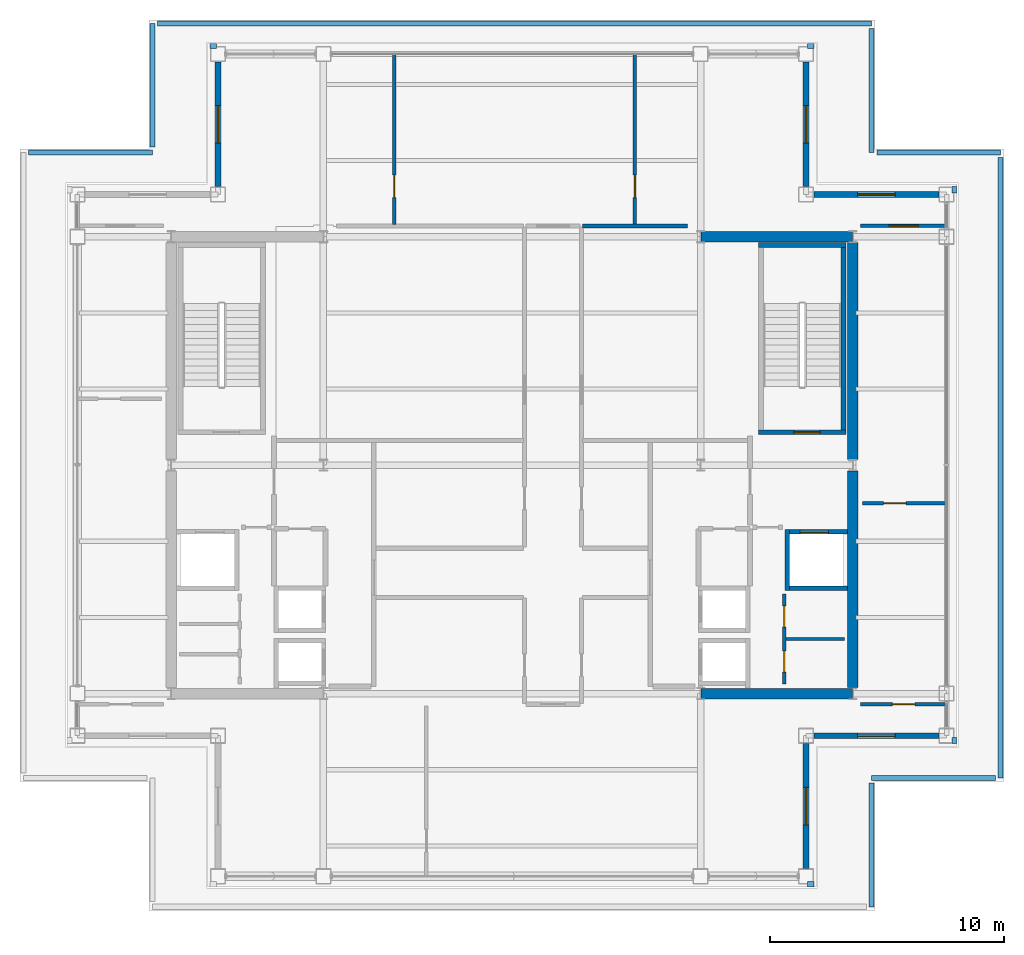
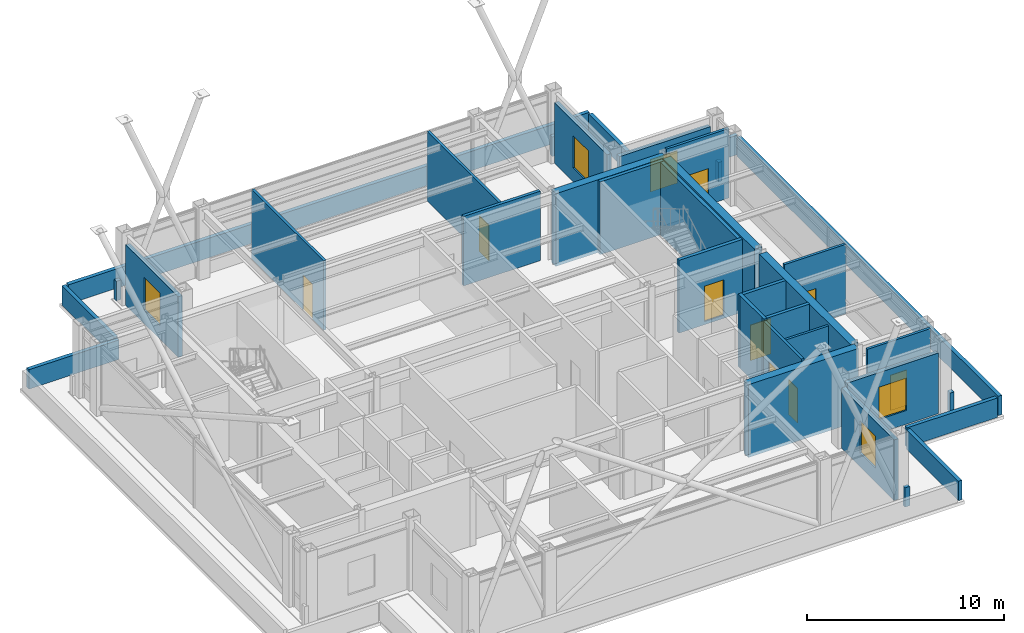
# One storey, part 17 of 19: 36 walls, 9 doors, 5 windows, 14 openings.
"""IFC4 building model written with IfcOpenShell, lengths in metres."""

from ifc_helpers import new_model, si_unit, direction, frame, frame_2d, origin, place, context, subcontext, project, spatial, rectangle, extrude, material, layer, layer_set, type_object, element, fill, save


model = new_model("IFC4")

# Units and contexts
model_context = context("Model", 3, precision=1e-05, world=origin(), true_north=direction((0.0, 1.0)))
body_context = subcontext(model_context, "Body", "Model", "MODEL_VIEW")
ifc_project = project(units=[si_unit("LENGTHUNIT", "METRE"), si_unit("AREAUNIT", "SQUARE_METRE"), si_unit("VOLUMEUNIT", "CUBIC_METRE"), si_unit("PLANEANGLEUNIT", "RADIAN"), si_unit("MASSUNIT", "GRAM", prefix="KILO")], contexts=[model_context])

# Site, building, storey
site_placement = place(None, origin())
site = spatial("IfcSite", under=ifc_project, at=site_placement, CompositionType="ELEMENT")
building_placement = place(site_placement, origin())
building = spatial("IfcBuilding", under=site, at=building_placement, Name="Brelmoor Portico Tower", CompositionType="ELEMENT")
storey_placement = place(building_placement, frame((0.0, 0.0, 213.89990234375)))
storey = spatial("IfcBuildingStorey", under=building, at=storey_placement, Name="L56", CompositionType="ELEMENT", Elevation=213.89990234375)

# Walls
ifc_material_1 = material(Name="Concrete C50", Category="concrete")
ifc_layer_1 = layer(ifc_material_1, 0.449951171875)
ifc_layer_set_1 = layer_set([ifc_layer_1], Name="Concrete C50")
wall_type_1 = type_object("IfcWallType", Name="WL-CORE-450", PredefinedType="SHEAR", material=ifc_layer_set_1)
for number, where, z_axis, x_axis, name in (
    (1, (8.070068359375, -9.75, -0.199951171875), (0.0, 0.0, 1.0), (1.0, 0.0, 0.0), "L56 EC South Shear Wall"),
    (2, (8.070068359375, 9.75, -0.199951171875), (0.0, 0.0, 1.0), (1.0, 0.0, 0.0), "L56 EC North Shear Wall"),
):
    element("IfcWall", number, at=place(storey_placement, frame(where, z_axis=z_axis, x_axis=x_axis)), inside=storey, type_object=wall_type_1, Name=name, PredefinedType="SHEAR", context=body_context, shape_type="SweptSolid", body=[
        extrude(rectangle(XDim=6.4599609375, YDim=0.449951171875, at=frame_2d((3.22998046875, 0.0))), origin(), (0.0, 0.0, 1.0), 4.5),
    ])
for number, where, z_axis, x_axis, name in (
    (3, (14.550048828125, -9.5, -0.199951171875), (0.0, 0.0, 1.0), (0.0, 1.0, 0.0), "L56 EC Outer South Shear Wall"),
    (4, (14.550048828125, 0.25, -0.199951171875), (0.0, 0.0, 1.0), (0.0, 1.0, 0.0), "L56 EC Outer North Shear Wall"),
):
    element("IfcWall", number, at=place(storey_placement, frame(where, z_axis=z_axis, x_axis=x_axis)), inside=storey, type_object=wall_type_1, Name=name, PredefinedType="SHEAR", context=body_context, shape_type="SweptSolid", body=[
        extrude(rectangle(XDim=9.25, YDim=0.449951171875, at=frame_2d((4.625, 0.0))), origin(), (0.0, 0.0, 1.0), 4.5),
    ])

# Wall, opening, window
ifc_material_2 = material(Name="Precast Concrete C40 Insulated Facade Wall", Category="concrete")
ifc_layer_2 = layer(ifc_material_2, 0.25)
ifc_layer_set_2 = layer_set([ifc_layer_2], Name="Precast Concrete C40 Insulated Facade Wall")
wall_type_2 = type_object("IfcWallType", Name="WL-EXT-250", PredefinedType="STANDARD", material=ifc_layer_set_2)
wall_1_placement = place(storey_placement, frame((12.885009765625, -11.550048828125, 0.0), z_axis=(0.0, 0.0, 1.0), x_axis=(1.0, 0.0, 0.0)))
wall_1 = element("IfcWall", 5, at=wall_1_placement, inside=storey, type_object=wall_type_2, Name="L56 Corner Notch Facade Wall NSEH1", PredefinedType="STANDARD", context=body_context, shape_type="SweptSolid", body=[
    extrude(rectangle(XDim=5.330078125, YDim=0.25, at=frame_2d((2.6650390625, 0.0))), origin(), (0.0, 0.0, 1.0), 3.75),
])
opening_1_placement = place(wall_1_placement, frame((1.864990234375, 0.0, 0.85009765625)))
opening_1 = element("IfcOpeningElement", 6, at=opening_1_placement, cuts=wall_1, Name="Opening W-01", PredefinedType="OPENING", context=body_context, shape_type="SweptSolid", body=[
    extrude(rectangle(XDim=1.60009765625, YDim=2.0, at=frame_2d((0.800048828125, 1.0))), frame((0.0, 0.135009765625, 0.0), z_axis=(0.0, -1.0, 0.0), x_axis=(1.0, 0.0, 0.0)), (0.0, 0.0, 1.0), 0.27001953125),
])
ifc_material_3 = material(Name="Thermally Broken Aluminium Low-E Window", Category="aluminium")
window_type = type_object("IfcWindowType", Name="WN-NOTCH-1600x2000", PartitioningType="SINGLE_PANEL", PredefinedType="WINDOW", material=ifc_material_3)
window_1_placement = place(opening_1_placement, origin())
window_1 = element("IfcWindow", 7, at=window_1_placement, inside=storey, type_object=window_type, Name="L56 Corner Notch Window NSEH1", OverallHeight=2.0, OverallWidth=1.60009765625, PartitioningType="SINGLE_PANEL", PredefinedType="WINDOW", context=body_context, shape_type="SweptSolid", body=[
    extrude(rectangle(XDim=1.60009765625, YDim=2.0, at=frame_2d((0.800048828125, 1.0))), frame((0.0, 0.030029296875, 0.0), z_axis=(0.0, -1.0, 0.0), x_axis=(1.0, 0.0, 0.0)), (0.0, 0.0, 1.0), 0.06005859375),
])
fill(opening_1, window_1)

wall_2_placement = place(storey_placement, frame((12.550048828125, -17.215087890625, 0.0), z_axis=(0.0, 0.0, 1.0), x_axis=(0.0, 1.0, 0.0)))
wall_2 = element("IfcWall", 8, at=wall_2_placement, inside=storey, type_object=wall_type_2, Name="L56 Corner Notch Facade Wall NSEV1", PredefinedType="STANDARD", context=body_context, shape_type="SweptSolid", body=[
    extrude(rectangle(XDim=5.330078125, YDim=0.25, at=frame_2d((2.6650390625, 0.0))), origin(), (0.0, 0.0, 1.0), 3.75),
])
opening_2_placement = place(wall_2_placement, frame((1.864990234375, 0.0, 0.85009765625)))
opening_2 = element("IfcOpeningElement", 9, at=opening_2_placement, cuts=wall_2, Name="Opening W-01", PredefinedType="OPENING", context=body_context, shape_type="SweptSolid", body=[
    extrude(rectangle(XDim=1.60009765625, YDim=2.0, at=frame_2d((0.800048828125, 1.0))), frame((0.0, 0.135009765625, 0.0), z_axis=(0.0, -1.0, 0.0), x_axis=(1.0, 0.0, 0.0)), (0.0, 0.0, 1.0), 0.27001953125),
])
window_2_placement = place(opening_2_placement, origin())
window_2 = element("IfcWindow", 10, at=window_2_placement, inside=storey, type_object=window_type, Name="L56 Corner Notch Window NSEV1", OverallHeight=2.0, OverallWidth=1.60009765625, PartitioningType="SINGLE_PANEL", PredefinedType="WINDOW", context=body_context, shape_type="SweptSolid", body=[
    extrude(rectangle(XDim=1.60009765625, YDim=2.0, at=frame_2d((0.800048828125, 1.0))), frame((0.0, 0.030029296875, 0.0), z_axis=(0.0, -1.0, 0.0), x_axis=(1.0, 0.0, 0.0)), (0.0, 0.0, 1.0), 0.06005859375),
])
fill(opening_2, window_2)

wall_3_placement = place(storey_placement, frame((-12.550048828125, 11.885009765625, 0.0), z_axis=(0.0, 0.0, 1.0), x_axis=(0.0, 1.0, 0.0)))
wall_3 = element("IfcWall", 11, at=wall_3_placement, inside=storey, type_object=wall_type_2, Name="L56 Corner Notch Facade Wall NNWV1", PredefinedType="STANDARD", context=body_context, shape_type="SweptSolid", body=[
    extrude(rectangle(XDim=5.330078125, YDim=0.25, at=frame_2d((2.6650390625, 0.0))), origin(), (0.0, 0.0, 1.0), 3.75),
])
opening_3_placement = place(wall_3_placement, frame((1.864990234375, 0.0, 0.85009765625)))
opening_3 = element("IfcOpeningElement", 12, at=opening_3_placement, cuts=wall_3, Name="Opening W-01", PredefinedType="OPENING", context=body_context, shape_type="SweptSolid", body=[
    extrude(rectangle(XDim=1.60009765625, YDim=2.0, at=frame_2d((0.800048828125, 1.0))), frame((0.0, 0.135009765625, 0.0), z_axis=(0.0, -1.0, 0.0), x_axis=(1.0, 0.0, 0.0)), (0.0, 0.0, 1.0), 0.27001953125),
])
window_3_placement = place(opening_3_placement, origin())
window_3 = element("IfcWindow", 13, at=window_3_placement, inside=storey, type_object=window_type, Name="L56 Corner Notch Window NNWV1", OverallHeight=2.0, OverallWidth=1.60009765625, PartitioningType="SINGLE_PANEL", PredefinedType="WINDOW", context=body_context, shape_type="SweptSolid", body=[
    extrude(rectangle(XDim=1.60009765625, YDim=2.0, at=frame_2d((0.800048828125, 1.0))), frame((0.0, 0.030029296875, 0.0), z_axis=(0.0, -1.0, 0.0), x_axis=(1.0, 0.0, 0.0)), (0.0, 0.0, 1.0), 0.06005859375),
])
fill(opening_3, window_3)

wall_4_placement = place(storey_placement, frame((12.885009765625, 11.550048828125, 0.0), z_axis=(0.0, 0.0, 1.0), x_axis=(1.0, 0.0, 0.0)))
wall_4 = element("IfcWall", 14, at=wall_4_placement, inside=storey, type_object=wall_type_2, Name="L56 Corner Notch Facade Wall NNEH1", PredefinedType="STANDARD", context=body_context, shape_type="SweptSolid", body=[
    extrude(rectangle(XDim=5.330078125, YDim=0.25, at=frame_2d((2.6650390625, 0.0))), origin(), (0.0, 0.0, 1.0), 3.75),
])
opening_4_placement = place(wall_4_placement, frame((1.864990234375, 0.0, 0.85009765625)))
opening_4 = element("IfcOpeningElement", 15, at=opening_4_placement, cuts=wall_4, Name="Opening W-01", PredefinedType="OPENING", context=body_context, shape_type="SweptSolid", body=[
    extrude(rectangle(XDim=1.60009765625, YDim=2.0, at=frame_2d((0.800048828125, 1.0))), frame((0.0, 0.135009765625, 0.0), z_axis=(0.0, -1.0, 0.0), x_axis=(1.0, 0.0, 0.0)), (0.0, 0.0, 1.0), 0.27001953125),
])
window_4_placement = place(opening_4_placement, origin())
window_4 = element("IfcWindow", 16, at=window_4_placement, inside=storey, type_object=window_type, Name="L56 Corner Notch Window NNEH1", OverallHeight=2.0, OverallWidth=1.60009765625, PartitioningType="SINGLE_PANEL", PredefinedType="WINDOW", context=body_context, shape_type="SweptSolid", body=[
    extrude(rectangle(XDim=1.60009765625, YDim=2.0, at=frame_2d((0.800048828125, 1.0))), frame((0.0, 0.030029296875, 0.0), z_axis=(0.0, -1.0, 0.0), x_axis=(1.0, 0.0, 0.0)), (0.0, 0.0, 1.0), 0.06005859375),
])
fill(opening_4, window_4)

wall_5_placement = place(storey_placement, frame((12.550048828125, 11.885009765625, 0.0), z_axis=(0.0, 0.0, 1.0), x_axis=(0.0, 1.0, 0.0)))
wall_5 = element("IfcWall", 17, at=wall_5_placement, inside=storey, type_object=wall_type_2, Name="L56 Corner Notch Facade Wall NNEV1", PredefinedType="STANDARD", context=body_context, shape_type="SweptSolid", body=[
    extrude(rectangle(XDim=5.330078125, YDim=0.25, at=frame_2d((2.6650390625, 0.0))), origin(), (0.0, 0.0, 1.0), 3.75),
])
opening_5_placement = place(wall_5_placement, frame((1.864990234375, 0.0, 0.85009765625)))
opening_5 = element("IfcOpeningElement", 18, at=opening_5_placement, cuts=wall_5, Name="Opening W-01", PredefinedType="OPENING", context=body_context, shape_type="SweptSolid", body=[
    extrude(rectangle(XDim=1.60009765625, YDim=2.0, at=frame_2d((0.800048828125, 1.0))), frame((0.0, 0.135009765625, 0.0), z_axis=(0.0, -1.0, 0.0), x_axis=(1.0, 0.0, 0.0)), (0.0, 0.0, 1.0), 0.27001953125),
])
window_5_placement = place(opening_5_placement, origin())
window_5 = element("IfcWindow", 19, at=window_5_placement, inside=storey, type_object=window_type, Name="L56 Corner Notch Window NNEV1", OverallHeight=2.0, OverallWidth=1.60009765625, PartitioningType="SINGLE_PANEL", PredefinedType="WINDOW", context=body_context, shape_type="SweptSolid", body=[
    extrude(rectangle(XDim=1.60009765625, YDim=2.0, at=frame_2d((0.800048828125, 1.0))), frame((0.0, 0.030029296875, 0.0), z_axis=(0.0, -1.0, 0.0), x_axis=(1.0, 0.0, 0.0)), (0.0, 0.0, 1.0), 0.06005859375),
])
fill(opening_5, window_5)

# Walls
ifc_material_4 = material(Name="Concrete C40 Parapet Upstand", Category="concrete")
ifc_layer_3 = layer(ifc_material_4, 0.219970703125)
ifc_layer_set_3 = layer_set([ifc_layer_3], Name="Concrete C40 Parapet Upstand")
wall_type_3 = type_object("IfcWallType", Name="WL-PARAPET-220", PredefinedType="PARAPET", material=ifc_layer_set_3)
for number, where, z_axis, x_axis, name in (
    (20, (12.6201171875, -17.889892578125, 0.0), (0.0, 0.0, 1.0), (1.0, 0.0, 0.0), "L56 Chamfer Vertex Parapet Pier SE1"),
    (21, (18.889892578125, -11.889892578125, 0.0), (0.0, 0.0, 1.0), (0.0, 1.0, 0.0), "L56 Chamfer Vertex Parapet Pier SE2"),
    (22, (-12.889892578125, 17.889892578125, 0.0), (0.0, 0.0, 1.0), (1.0, 0.0, 0.0), "L56 Chamfer Vertex Parapet Pier NW1"),
    (23, (12.6201171875, 17.889892578125, 0.0), (0.0, 0.0, 1.0), (1.0, 0.0, 0.0), "L56 Chamfer Vertex Parapet Pier NE1"),
    (24, (18.889892578125, 11.6201171875, 0.0), (0.0, 0.0, 1.0), (0.0, 1.0, 0.0), "L56 Chamfer Vertex Parapet Pier NE2"),
):
    element("IfcWall", number, at=place(storey_placement, frame(where, z_axis=z_axis, x_axis=x_axis)), inside=storey, type_object=wall_type_3, Name=name, PredefinedType="PARAPET", context=body_context, shape_type="SweptSolid", body=[
        extrude(rectangle(XDim=0.269775390625, YDim=0.219970703125, at=frame_2d((0.134765625, 0.0))), origin(), (0.0, 0.0, 1.0), 1.2001953125),
    ])
wall_6_placement = place(storey_placement, frame((15.35009765625, -18.85009765625, 0.0), z_axis=(0.0, 0.0, 1.0), x_axis=(0.0, 1.0, 0.0)))
element("IfcWall", 25, at=wall_6_placement, inside=storey, type_object=wall_type_3, Name="L56 Roof Parapet Wall 02", PredefinedType="PARAPET", context=body_context, shape_type="SweptSolid", body=[
    extrude(rectangle(XDim=5.280029296875, YDim=0.219970703125, at=frame_2d((2.64013671875, 0.0))), origin(), (0.0, 0.0, 1.0), 1.2001953125),
])
wall_7_placement = place(storey_placement, frame((15.35009765625, -13.35009765625, 0.0), z_axis=(0.0, 0.0, 1.0), x_axis=(1.0, 0.0, 0.0)))
element("IfcWall", 26, at=wall_7_placement, inside=storey, type_object=wall_type_3, Name="L56 Roof Parapet Wall 03", PredefinedType="PARAPET", context=body_context, shape_type="SweptSolid", body=[
    extrude(rectangle(XDim=5.27978515625, YDim=0.219970703125, at=frame_2d((2.639892578125, 0.0))), origin(), (0.0, 0.0, 1.0), 1.2001953125),
])
wall_8_placement = place(storey_placement, frame((20.85009765625, -13.35009765625, 0.0), z_axis=(0.0, 0.0, 1.0), x_axis=(0.0, 1.0, 0.0)))
element("IfcWall", 27, at=wall_8_placement, inside=storey, type_object=wall_type_3, Name="L56 Roof Parapet Wall 04", PredefinedType="PARAPET", context=body_context, shape_type="SweptSolid", body=[
    extrude(rectangle(XDim=26.47998046875, YDim=0.219970703125, at=frame_2d((13.239990234375, 0.0))), origin(), (0.0, 0.0, 1.0), 1.2001953125),
])
wall_9_placement = place(storey_placement, frame((20.85009765625, 13.35009765625, 0.0), z_axis=(0.0, 0.0, 1.0), x_axis=(-1.0, 0.0, 0.0)))
element("IfcWall", 28, at=wall_9_placement, inside=storey, type_object=wall_type_3, Name="L56 Roof Parapet Wall 05", PredefinedType="PARAPET", context=body_context, shape_type="SweptSolid", body=[
    extrude(rectangle(XDim=5.280029296875, YDim=0.219970703125, at=frame_2d((2.64013671875, 0.0))), origin(), (0.0, 0.0, 1.0), 1.2001953125),
])
wall_10_placement = place(storey_placement, frame((15.35009765625, 13.35009765625, 0.0), z_axis=(0.0, 0.0, 1.0), x_axis=(0.0, 1.0, 0.0)))
element("IfcWall", 29, at=wall_10_placement, inside=storey, type_object=wall_type_3, Name="L56 Roof Parapet Wall 06", PredefinedType="PARAPET", context=body_context, shape_type="SweptSolid", body=[
    extrude(rectangle(XDim=5.27978515625, YDim=0.219970703125, at=frame_2d((2.639892578125, 0.0))), origin(), (0.0, 0.0, 1.0), 1.2001953125),
])
wall_11_placement = place(storey_placement, frame((15.35009765625, 18.85009765625, 0.0), z_axis=(0.0, 0.0, 1.0), x_axis=(-1.0, 0.0, 0.0)))
element("IfcWall", 30, at=wall_11_placement, inside=storey, type_object=wall_type_3, Name="L56 Roof Parapet Wall 07", PredefinedType="PARAPET", context=body_context, shape_type="SweptSolid", body=[
    extrude(rectangle(XDim=30.47998046875, YDim=0.219970703125, at=frame_2d((15.239990234375, 0.0))), origin(), (0.0, 0.0, 1.0), 1.2001953125),
])
wall_12_placement = place(storey_placement, frame((-15.35009765625, 18.85009765625, 0.0), z_axis=(0.0, 0.0, 1.0), x_axis=(0.0, -1.0, 0.0)))
element("IfcWall", 31, at=wall_12_placement, inside=storey, type_object=wall_type_3, Name="L56 Roof Parapet Wall 08", PredefinedType="PARAPET", context=body_context, shape_type="SweptSolid", body=[
    extrude(rectangle(XDim=5.280029296875, YDim=0.219970703125, at=frame_2d((2.64013671875, 0.0))), origin(), (0.0, 0.0, 1.0), 1.2001953125),
])
wall_13_placement = place(storey_placement, frame((-15.35009765625, 13.35009765625, 0.0), z_axis=(0.0, 0.0, 1.0), x_axis=(-1.0, 0.0, 0.0)))
element("IfcWall", 32, at=wall_13_placement, inside=storey, type_object=wall_type_3, Name="L56 Roof Parapet Wall 09", PredefinedType="PARAPET", context=body_context, shape_type="SweptSolid", body=[
    extrude(rectangle(XDim=5.27978515625, YDim=0.219970703125, at=frame_2d((2.639892578125, 0.0))), origin(), (0.0, 0.0, 1.0), 1.2001953125),
])
ifc_material_5 = material(Name="Insulated Stud Suite Partition", Category="gypsum")
ifc_layer_4 = layer(ifc_material_5, 0.139892578125)
ifc_layer_set_4 = layer_set([ifc_layer_4], Name="Insulated Stud Suite Partition")
wall_type_4 = type_object("IfcWallType", Name="WL-PART-140", PredefinedType="PARTITIONING", material=ifc_layer_set_4)
wall_14_placement = place(storey_placement, frame((11.699951171875, -7.425048828125, 0.0), z_axis=(0.0, 0.0, 1.0), x_axis=(1.0, 0.0, 0.0)))
element("IfcWall", 33, at=wall_14_placement, inside=storey, type_object=wall_type_4, Name="L56 E Core WC Divider 1", PredefinedType="PARTITIONING", context=body_context, shape_type="SweptSolid", body=[
    extrude(rectangle(XDim=2.5, YDim=0.139892578125, at=frame_2d((1.25, 0.0))), origin(), (0.0, 0.0, 1.0), 4.300048828125),
])

# Wall, opening, door
ifc_material_6 = material(Name="Wet-Area Moisture-Resistant Partition", Category="gypsum")
ifc_layer_5 = layer(ifc_material_6, 0.14990234375)
ifc_layer_set_5 = layer_set([ifc_layer_5], Name="Wet-Area Moisture-Resistant Partition")
wall_type_5 = type_object("IfcWallType", Name="WL-PART-150", PredefinedType="PARTITIONING", material=ifc_layer_set_5)
wall_15_placement = place(storey_placement, frame((-5.0205078125, 10.27001953125, 0.0), z_axis=(0.0, 0.0, 1.0), x_axis=(0.0, 1.0, 0.0)))
wall_15 = element("IfcWall", 34, at=wall_15_placement, inside=storey, type_object=wall_type_5, Name="L56 North Suite Partition 1", PredefinedType="PARTITIONING", context=body_context, shape_type="SweptSolid", body=[
    extrude(rectangle(XDim=7.2900390625, YDim=0.14990234375, at=frame_2d((3.64501953125, 0.0))), origin(), (0.0, 0.0, 1.0), 4.300048828125),
])
opening_6_placement = place(wall_15_placement, frame((1.14990234375, 0.0, 0.0)))
opening_6 = element("IfcOpeningElement", 35, at=opening_6_placement, cuts=wall_15, Name="Opening D-IN2", PredefinedType="OPENING", context=body_context, shape_type="SweptSolid", body=[
    extrude(rectangle(XDim=0.9599609375, YDim=2.179931640625, at=frame_2d((0.47998046875, 1.08984375))), frame((0.0, 0.0849609375, 0.0), z_axis=(0.0, -1.0, 0.0), x_axis=(1.0, 0.0, 0.0)), (0.0, 0.0, 1.0), 0.169921875),
])
ifc_material_7 = material(Name="Lacquered Timber Suite Door", Category="wood")
door_type_1 = type_object("IfcDoorType", Name="DR-INT-950", OperationType="NOTDEFINED", PredefinedType="DOOR", material=ifc_material_7)
door_1_placement = place(opening_6_placement, origin())
door_1 = element("IfcDoor", 36, at=door_1_placement, inside=storey, type_object=door_type_1, Name="D-2346 L56 North Suite Connecting Door 1", OperationType="SINGLE_SWING_LEFT", OverallHeight=2.179931640625, OverallWidth=0.9599609375, PredefinedType="DOOR", context=body_context, shape_type="SweptSolid", body=[
    extrude(rectangle(XDim=0.9599609375, YDim=2.179931640625, at=frame_2d((0.47998046875, 1.08984375))), frame((0.0, 0.02490234375, 0.0), z_axis=(0.0, -1.0, 0.0), x_axis=(1.0, 0.0, 0.0)), (0.0, 0.0, 1.0), 0.050048828125),
])
fill(opening_6, door_1)

wall_16_placement = place(storey_placement, frame((5.24853515625, 10.27001953125, 0.0), z_axis=(0.0, 0.0, 1.0), x_axis=(0.0, 1.0, 0.0)))
wall_16 = element("IfcWall", 37, at=wall_16_placement, inside=storey, type_object=wall_type_5, Name="L56 North Suite Partition 2", PredefinedType="PARTITIONING", context=body_context, shape_type="SweptSolid", body=[
    extrude(rectangle(XDim=7.2900390625, YDim=0.14990234375, at=frame_2d((3.64501953125, 0.0))), origin(), (0.0, 0.0, 1.0), 4.300048828125),
])
opening_7_placement = place(wall_16_placement, frame((1.14990234375, 0.0, 0.0)))
opening_7 = element("IfcOpeningElement", 38, at=opening_7_placement, cuts=wall_16, Name="Opening D-IN2", PredefinedType="OPENING", context=body_context, shape_type="SweptSolid", body=[
    extrude(rectangle(XDim=0.9599609375, YDim=2.179931640625, at=frame_2d((0.47998046875, 1.08984375))), frame((0.0, 0.0849609375, 0.0), z_axis=(0.0, -1.0, 0.0), x_axis=(1.0, 0.0, 0.0)), (0.0, 0.0, 1.0), 0.169921875),
])
door_2_placement = place(opening_7_placement, origin())
door_2 = element("IfcDoor", 39, at=door_2_placement, inside=storey, type_object=door_type_1, Name="D-2347 L56 North Suite Connecting Door 2", OperationType="SINGLE_SWING_RIGHT", OverallHeight=2.179931640625, OverallWidth=0.9599609375, PredefinedType="DOOR", context=body_context, shape_type="SweptSolid", body=[
    extrude(rectangle(XDim=0.9599609375, YDim=2.179931640625, at=frame_2d((0.47998046875, 1.08984375))), frame((0.0, 0.02490234375, 0.0), z_axis=(0.0, -1.0, 0.0), x_axis=(1.0, 0.0, 0.0)), (0.0, 0.0, 1.0), 0.050048828125),
])
fill(opening_7, door_2)

wall_17_placement = place(storey_placement, frame((14.8798828125, 10.2099609375, 0.0), z_axis=(0.0, 0.0, 1.0), x_axis=(1.0, 0.0, 0.0)))
wall_17 = element("IfcWall", 40, at=wall_17_placement, inside=storey, type_object=wall_type_5, Name="L56 North Wing Suite Wall ER", PredefinedType="PARTITIONING", context=body_context, shape_type="SweptSolid", body=[
    extrude(rectangle(XDim=3.68017578125, YDim=0.14990234375, at=frame_2d((1.840087890625, 0.0))), origin(), (0.0, 0.0, 1.0), 4.300048828125),
])
opening_8_placement = place(wall_17_placement, frame((1.219970703125, 0.0, 0.0)))
opening_8 = element("IfcOpeningElement", 41, at=opening_8_placement, cuts=wall_17, Name="Opening D-SU1", PredefinedType="OPENING", context=body_context, shape_type="SweptSolid", body=[
    extrude(rectangle(XDim=1.239990234375, YDim=2.239990234375, at=frame_2d((0.6201171875, 1.1201171875))), frame((0.0, 0.0849609375, 0.0), z_axis=(0.0, -1.0, 0.0), x_axis=(1.0, 0.0, 0.0)), (0.0, 0.0, 1.0), 0.169921875),
])
ifc_material_8 = material(Name="Glazed Timber Executive Suite Door", Category="wood")
door_type_2 = type_object("IfcDoorType", Name="DR-SUITE-1200", OperationType="NOTDEFINED", PredefinedType="DOOR", material=ifc_material_8)
door_3_placement = place(opening_8_placement, origin())
door_3 = element("IfcDoor", 42, at=door_3_placement, inside=storey, type_object=door_type_2, Name="D-2348 L56 ER Wing Suite Connecting Door", OperationType="SINGLE_SWING_RIGHT", OverallHeight=2.239990234375, OverallWidth=1.239990234375, PredefinedType="DOOR", context=body_context, shape_type="SweptSolid", body=[
    extrude(rectangle(XDim=1.239990234375, YDim=2.239990234375, at=frame_2d((0.6201171875, 1.1201171875))), frame((0.0, 0.02490234375, 0.0), z_axis=(0.0, -1.0, 0.0), x_axis=(1.0, 0.0, 0.0)), (0.0, 0.0, 1.0), 0.050048828125),
])
fill(opening_8, door_3)

wall_18_placement = place(storey_placement, frame((14.8798828125, -10.2099609375, 0.0), z_axis=(0.0, 0.0, 1.0), x_axis=(1.0, 0.0, 0.0)))
wall_18 = element("IfcWall", 43, at=wall_18_placement, inside=storey, type_object=wall_type_5, Name="L56 South Wing Closure ER", PredefinedType="PARTITIONING", context=body_context, shape_type="SweptSolid", body=[
    extrude(rectangle(XDim=3.68017578125, YDim=0.14990234375, at=frame_2d((1.840087890625, 0.0))), origin(), (0.0, 0.0, 1.0), 4.300048828125),
])
opening_9_placement = place(wall_18_placement, frame((1.360107421875, 0.0, 0.0)))
opening_9 = element("IfcOpeningElement", 44, at=opening_9_placement, cuts=wall_18, Name="Opening D-IN2", PredefinedType="OPENING", context=body_context, shape_type="SweptSolid", body=[
    extrude(rectangle(XDim=0.9599609375, YDim=2.179931640625, at=frame_2d((0.47998046875, 1.08984375))), frame((0.0, 0.0849609375, 0.0), z_axis=(0.0, -1.0, 0.0), x_axis=(1.0, 0.0, 0.0)), (0.0, 0.0, 1.0), 0.169921875),
])
door_4_placement = place(opening_9_placement, origin())
door_4 = element("IfcDoor", 45, at=door_4_placement, inside=storey, type_object=door_type_1, Name="D-2354 L56 ER Wing South Suite Door", OperationType="SINGLE_SWING_RIGHT", OverallHeight=2.179931640625, OverallWidth=0.9599609375, PredefinedType="DOOR", context=body_context, shape_type="SweptSolid", body=[
    extrude(rectangle(XDim=0.9599609375, YDim=2.179931640625, at=frame_2d((0.47998046875, 1.08984375))), frame((0.0, 0.02490234375, 0.0), z_axis=(0.0, -1.0, 0.0), x_axis=(1.0, 0.0, 0.0)), (0.0, 0.0, 1.0), 0.050048828125),
])
fill(opening_9, door_4)

wall_19_placement = place(storey_placement, frame((14.9599609375, -1.620849609375, 0.0), z_axis=(0.0, 0.0, 1.0), x_axis=(1.0, 0.0, 0.0)))
wall_19 = element("IfcWall", 46, at=wall_19_placement, inside=storey, type_object=wall_type_5, Name="L56 E Wing Partition 1", PredefinedType="PARTITIONING", context=body_context, shape_type="SweptSolid", body=[
    extrude(rectangle(XDim=3.60009765625, YDim=0.14990234375, at=frame_2d((1.800048828125, 0.0))), origin(), (0.0, 0.0, 1.0), 4.300048828125),
])
opening_10_placement = place(wall_19_placement, frame((0.89990234375, 0.0, 0.0)))
opening_10 = element("IfcOpeningElement", 47, at=opening_10_placement, cuts=wall_19, Name="Opening D-IN2", PredefinedType="OPENING", context=body_context, shape_type="SweptSolid", body=[
    extrude(rectangle(XDim=0.9599609375, YDim=2.179931640625, at=frame_2d((0.47998046875, 1.08984375))), frame((0.0, 0.0849609375, 0.0), z_axis=(0.0, -1.0, 0.0), x_axis=(1.0, 0.0, 0.0)), (0.0, 0.0, 1.0), 0.169921875),
])
door_5_placement = place(opening_10_placement, origin())
door_5 = element("IfcDoor", 48, at=door_5_placement, inside=storey, type_object=door_type_1, Name="D-2356 L56 E Wing Suite Connecting Door 1", OperationType="SINGLE_SWING_RIGHT", OverallHeight=2.179931640625, OverallWidth=0.9599609375, PredefinedType="DOOR", context=body_context, shape_type="SweptSolid", body=[
    extrude(rectangle(XDim=0.9599609375, YDim=2.179931640625, at=frame_2d((0.47998046875, 1.08984375))), frame((0.0, 0.02490234375, 0.0), z_axis=(0.0, -1.0, 0.0), x_axis=(1.0, 0.0, 0.0)), (0.0, 0.0, 1.0), 0.050048828125),
])
fill(opening_10, door_5)

# Wall, openings, doors
ifc_material_9 = material(Name="Twin-Frame Acoustic Partition", Category="gypsum")
ifc_layer_6 = layer(ifc_material_9, 0.159912109375)
ifc_layer_set_6 = layer_set([ifc_layer_6], Name="Twin-Frame Acoustic Partition")
wall_type_6 = type_object("IfcWallType", Name="WL-PART-160", PredefinedType="PARTITIONING", material=ifc_layer_set_6)
wall_20_placement = place(storey_placement, frame((11.6201171875, -9.35009765625, 0.0), z_axis=(0.0, 0.0, 1.0), x_axis=(0.0, 1.0, 0.0)))
wall_20 = element("IfcWall", 49, at=wall_20_placement, inside=storey, type_object=wall_type_6, Name="L56 E Core Service Front Wall", PredefinedType="PARTITIONING", context=body_context, shape_type="SweptSolid", body=[
    extrude(rectangle(XDim=3.85009765625, YDim=0.159912109375, at=frame_2d((1.925048828125, 0.0))), origin(), (0.0, 0.0, 1.0), 4.300048828125),
])
opening_11_placement = place(wall_20_placement, frame((0.512451171875, 0.0, 0.0)))
opening_11 = element("IfcOpeningElement", 50, at=opening_11_placement, cuts=wall_20, Name="Opening D-IN1", PredefinedType="OPENING", context=body_context, shape_type="SweptSolid", body=[
    extrude(rectangle(XDim=0.89990234375, YDim=2.14990234375, at=frame_2d((0.449951171875, 1.074951171875))), frame((0.0, 0.08984375, 0.0), z_axis=(0.0, -1.0, 0.0), x_axis=(1.0, 0.0, 0.0)), (0.0, 0.0, 1.0), 0.179931640625),
])
opening_12_placement = place(wall_20_placement, frame((2.4375, 0.0, 0.0)))
opening_12 = element("IfcOpeningElement", 51, at=opening_12_placement, cuts=wall_20, Name="Opening D-IN1", PredefinedType="OPENING", context=body_context, shape_type="SweptSolid", body=[
    extrude(rectangle(XDim=0.89990234375, YDim=2.14990234375, at=frame_2d((0.449951171875, 1.074951171875))), frame((0.0, 0.08984375, 0.0), z_axis=(0.0, -1.0, 0.0), x_axis=(1.0, 0.0, 0.0)), (0.0, 0.0, 1.0), 0.179931640625),
])
door_type_3 = type_object("IfcDoorType", Name="DR-INT-900", OperationType="NOTDEFINED", PredefinedType="DOOR", material=ifc_material_7)
door_6_placement = place(opening_11_placement, origin())
door_6 = element("IfcDoor", 52, at=door_6_placement, inside=storey, type_object=door_type_3, Name="D-2332 L56 E Male WC Door", OperationType="SINGLE_SWING_LEFT", OverallHeight=2.14990234375, OverallWidth=0.89990234375, PredefinedType="DOOR", context=body_context, shape_type="SweptSolid", body=[
    extrude(rectangle(XDim=0.89990234375, YDim=2.14990234375, at=frame_2d((0.449951171875, 1.074951171875))), frame((0.0, 0.02490234375, 0.0), z_axis=(0.0, -1.0, 0.0), x_axis=(1.0, 0.0, 0.0)), (0.0, 0.0, 1.0), 0.050048828125),
])
fill(opening_11, door_6)
door_7_placement = place(opening_12_placement, origin())
door_7 = element("IfcDoor", 53, at=door_7_placement, inside=storey, type_object=door_type_3, Name="D-2333 L56 E Female WC Door", OperationType="SINGLE_SWING_RIGHT", OverallHeight=2.14990234375, OverallWidth=0.89990234375, PredefinedType="DOOR", context=body_context, shape_type="SweptSolid", body=[
    extrude(rectangle(XDim=0.89990234375, YDim=2.14990234375, at=frame_2d((0.449951171875, 1.074951171875))), frame((0.0, 0.02490234375, 0.0), z_axis=(0.0, -1.0, 0.0), x_axis=(1.0, 0.0, 0.0)), (0.0, 0.0, 1.0), 0.050048828125),
])
fill(opening_12, door_7)

# Wall
ifc_material_10 = material(Name="Acoustic Corridor Fire Partition", Category="gypsum")
ifc_layer_7 = layer(ifc_material_10, 0.179931640625)
ifc_layer_set_7 = layer_set([ifc_layer_7], Name="Acoustic Corridor Fire Partition")
wall_type_7 = type_object("IfcWallType", Name="WL-PART-180", PredefinedType="PARTITIONING", material=ifc_layer_set_7)
wall_21_placement = place(storey_placement, frame((3.010009765625, 10.2099609375, 0.0), z_axis=(0.0, 0.0, 1.0), x_axis=(1.0, 0.0, 0.0)))
element("IfcWall", 54, at=wall_21_placement, inside=storey, type_object=wall_type_7, Name="L56 East Suite North Wall", PredefinedType="PARTITIONING", context=body_context, shape_type="SweptSolid", body=[
    extrude(rectangle(XDim=4.489990234375, YDim=0.179931640625, at=frame_2d((2.2451171875, 0.0))), origin(), (0.0, 0.0, 1.0), 4.300048828125),
])

# Wall, opening, door
ifc_material_11 = material(Name="Precast Concrete C40", Category="concrete")
ifc_layer_8 = layer(ifc_material_11, 0.18994140625)
ifc_layer_set_8 = layer_set([ifc_layer_8], Name="Precast Concrete C40")
wall_type_8 = type_object("IfcWallType", Name="WL-SHAFT-180", PredefinedType="SOLIDWALL", material=ifc_layer_set_8)
wall_22_placement = place(storey_placement, frame((11.64990234375, -2.844970703125, -0.199951171875), z_axis=(0.0, 0.0, 1.0), x_axis=(1.0, 0.0, 0.0)))
wall_22 = element("IfcWall", 55, at=wall_22_placement, inside=storey, type_object=wall_type_8, Name="L56 Lift FF2 Hoistway Front Wall", PredefinedType="SOLIDWALL", context=body_context, shape_type="SweptSolid", body=[
    extrude(rectangle(XDim=2.68017578125, YDim=0.18994140625, at=frame_2d((1.340087890625, 0.0))), origin(), (0.0, 0.0, 1.0), 4.5),
])
opening_13_placement = place(wall_22_placement, frame((0.64990234375, 0.0, 0.199951171875)))
opening_13 = element("IfcOpeningElement", 56, at=opening_13_placement, cuts=wall_22, Name="Opening LD-02", PredefinedType="OPENING", context=body_context, shape_type="SweptSolid", body=[
    extrude(rectangle(XDim=1.199951171875, YDim=2.199951171875, at=frame_2d((0.60009765625, 1.10009765625))), frame((0.0, 0.10498046875, 0.0), z_axis=(0.0, -1.0, 0.0), x_axis=(1.0, 0.0, 0.0)), (0.0, 0.0, 1.0), 0.2099609375),
])
ifc_material_12 = material(Name="Brushed Stainless Steel Firefighting Lift Door", Category="steel")
door_type_4 = type_object("IfcDoorType", Name="DR-LIFT-1200", OperationType="NOTDEFINED", PredefinedType="DOOR", material=ifc_material_12)
door_8_placement = place(opening_13_placement, origin())
door_8 = element("IfcDoor", 57, at=door_8_placement, inside=storey, type_object=door_type_4, Name="D-2359 L56 Lift FF2 Sliding Landing Door", OperationType="SLIDING_TO_LEFT", OverallHeight=2.199951171875, OverallWidth=1.199951171875, PredefinedType="DOOR", context=body_context, shape_type="SweptSolid", body=[
    extrude(rectangle(XDim=1.199951171875, YDim=2.199951171875, at=frame_2d((0.60009765625, 1.10009765625))), frame((0.0, 0.02490234375, 0.0), z_axis=(0.0, -1.0, 0.0), x_axis=(1.0, 0.0, 0.0)), (0.0, 0.0, 1.0), 0.050048828125),
])
fill(opening_13, door_8)

# Walls
wall_23_placement = place(storey_placement, frame((11.64990234375, -5.2548828125, -0.199951171875), z_axis=(0.0, 0.0, 1.0), x_axis=(1.0, 0.0, 0.0)))
element("IfcWall", 58, at=wall_23_placement, inside=storey, type_object=wall_type_8, Name="L56 Firefighting Lift FF2 South Wall", PredefinedType="SOLIDWALL", context=body_context, shape_type="SweptSolid", body=[
    extrude(rectangle(XDim=2.68017578125, YDim=0.18994140625, at=frame_2d((1.340087890625, 0.0))), origin(), (0.0, 0.0, 1.0), 4.5),
])
wall_24_placement = place(storey_placement, frame((11.7451171875, -5.35009765625, -0.199951171875), z_axis=(0.0, 0.0, 1.0), x_axis=(0.0, 1.0, 0.0)))
element("IfcWall", 59, at=wall_24_placement, inside=storey, type_object=wall_type_8, Name="L56 Firefighting Lift FF2 Inner Wall", PredefinedType="SOLIDWALL", context=body_context, shape_type="SweptSolid", body=[
    extrude(rectangle(XDim=2.60009765625, YDim=0.18994140625, at=frame_2d((1.300048828125, 0.0))), origin(), (0.0, 0.0, 1.0), 4.5),
])
ifc_material_13 = material(Name="Concrete C40", Category="concrete")
ifc_layer_9 = layer(ifc_material_13, 0.199951171875)
ifc_layer_set_9 = layer_set([ifc_layer_9], Name="Concrete C40")
wall_type_9 = type_object("IfcWallType", Name="WL-SHAFT-RC200", PredefinedType="SOLIDWALL", material=ifc_layer_set_9)
wall_25_placement = place(storey_placement, frame((14.14990234375, 1.5, -0.199951171875), z_axis=(0.0, 0.0, 1.0), x_axis=(0.0, 1.0, 0.0)))
element("IfcWall", 60, at=wall_25_placement, inside=storey, type_object=wall_type_9, Name="L56 ST-E Structural Stair Wall Outer", PredefinedType="SOLIDWALL", context=body_context, shape_type="SweptSolid", body=[
    extrude(rectangle(XDim=7.800048828125, YDim=0.199951171875, at=frame_2d((3.89990234375, 0.0))), origin(), (0.0, 0.0, 1.0), 4.5),
])

# Wall, opening, door
wall_26_placement = place(storey_placement, frame((10.530029296875, 1.39990234375, -0.199951171875), z_axis=(0.0, 0.0, 1.0), x_axis=(1.0, 0.0, 0.0)))
wall_26 = element("IfcWall", 61, at=wall_26_placement, inside=storey, type_object=wall_type_9, Name="L56 ST-E Structural Stair Wall S", PredefinedType="SOLIDWALL", context=body_context, shape_type="SweptSolid", body=[
    extrude(rectangle(XDim=3.719970703125, YDim=0.199951171875, at=frame_2d((1.85986328125, 0.0))), origin(), (0.0, 0.0, 1.0), 4.5),
])
opening_14_placement = place(wall_26_placement, frame((1.5, 0.0, 0.199951171875)))
opening_14 = element("IfcOpeningElement", 62, at=opening_14_placement, cuts=wall_26, Name="Opening D-ST1", PredefinedType="OPENING", context=body_context, shape_type="SweptSolid", body=[
    extrude(rectangle(XDim=1.1201171875, YDim=2.179931640625, at=frame_2d((0.56005859375, 1.08984375))), frame((0.0, 0.10986328125, 0.0), z_axis=(0.0, -1.0, 0.0), x_axis=(1.0, 0.0, 0.0)), (0.0, 0.0, 1.0), 0.219970703125),
])
ifc_material_14 = material(Name="Painted Galvanised Steel Fire Door", Category="steel")
door_type_5 = type_object("IfcDoorType", Name="DR-STAIR-1100", OperationType="NOTDEFINED", PredefinedType="DOOR", material=ifc_material_14)
door_9_placement = place(opening_14_placement, origin())
door_9 = element("IfcDoor", 63, at=door_9_placement, inside=storey, type_object=door_type_5, Name="D-2352 L56 ST-E Protected Exit Stair Door", OperationType="SINGLE_SWING_RIGHT", OverallHeight=2.179931640625, OverallWidth=1.1201171875, PredefinedType="DOOR", context=body_context, shape_type="SweptSolid", body=[
    extrude(rectangle(XDim=1.1201171875, YDim=2.179931640625, at=frame_2d((0.56005859375, 1.08984375))), frame((0.0, 0.02490234375, 0.0), z_axis=(0.0, -1.0, 0.0), x_axis=(1.0, 0.0, 0.0)), (0.0, 0.0, 1.0), 0.050048828125),
])
fill(opening_14, door_9)

# Wall
wall_27_placement = place(storey_placement, frame((10.530029296875, 9.39990234375, -0.199951171875), z_axis=(0.0, 0.0, 1.0), x_axis=(1.0, 0.0, 0.0)))
element("IfcWall", 64, at=wall_27_placement, inside=storey, type_object=wall_type_9, Name="L56 ST-E Structural Stair Wall N", PredefinedType="SOLIDWALL", context=body_context, shape_type="SweptSolid", body=[
    extrude(rectangle(XDim=3.719970703125, YDim=0.199951171875, at=frame_2d((1.85986328125, 0.0))), origin(), (0.0, 0.0, 1.0), 4.5),
])

save(model, "model.ifc")
